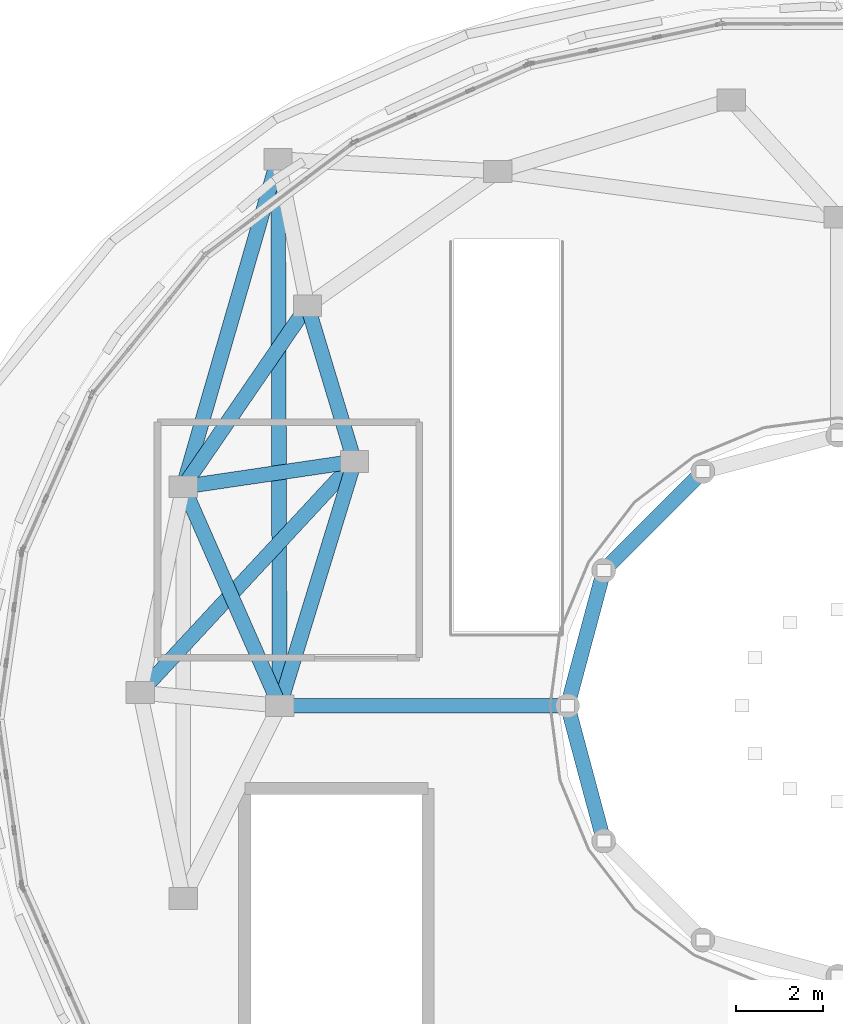
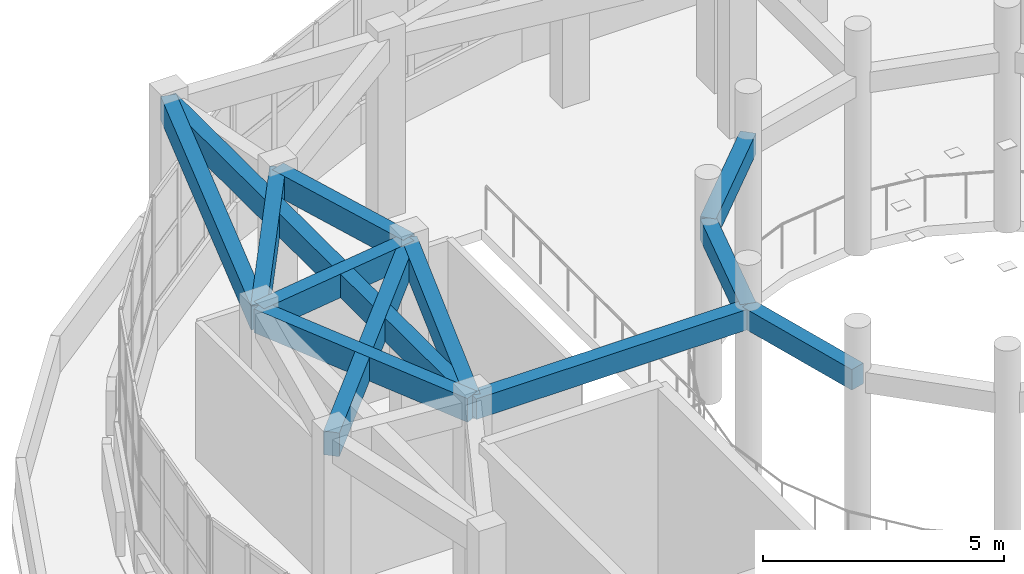
# One storey, part 12 of 98: 12 beams.
"""IFC4 building model written with IfcOpenShell, lengths in metres."""

from ifc_helpers import new_model, si_unit, direction, frame, origin, origin_2d, place, context, subcontext, project, spatial, rectangle, extrude, material, material_profile, profile_set, type_object, element, save


model = new_model("IFC4")

# Units and contexts
model_context = context("Model", 3, precision=1e-05, world=origin(), true_north=direction((0.0, 1.0)))
body_context = subcontext(model_context, "Body", "Model", "MODEL_VIEW")
ifc_project = project(units=[si_unit("LENGTHUNIT", "METRE"), si_unit("AREAUNIT", "SQUARE_METRE"), si_unit("VOLUMEUNIT", "CUBIC_METRE"), si_unit("PLANEANGLEUNIT", "RADIAN"), si_unit("MASSUNIT", "GRAM", prefix="KILO")], contexts=[model_context])

# Site, building, storey
site_placement = place(None, origin())
site = spatial("IfcSite", under=ifc_project, at=site_placement, CompositionType="ELEMENT")
building_placement = place(site_placement, origin())
building = spatial("IfcBuilding", under=site, at=building_placement, Name="Pelvatis Terrace Science Centre", CompositionType="ELEMENT")
storey_placement = place(building_placement, frame((0.0, 0.0, 5.39990234375)))
storey = spatial("IfcBuildingStorey", under=building, at=storey_placement, Name="L01", CompositionType="ELEMENT", Elevation=5.39990234375)

# Beams
ifc_material_1 = material(Name="Concrete C35/45", Category="concrete")
ifc_material_profile_1 = material_profile(ifc_material_1, rectangle(XDim=0.340087890625, YDim=0.52001953125, at=origin_2d()), Name="RC-BM 340x520")
ifc_profile_set_1 = profile_set([ifc_material_profile_1], Name="Concrete C35/45")
beam_type_1 = type_object("IfcBeamType", Name="BM-RC-340x520", PredefinedType="BEAM", material=ifc_profile_set_1)
beam_1_placement = place(storey_placement, frame((43.699951171875, 40.469482421875, 4.280029296875), z_axis=(-0.707068745266, -0.707144815061, 0.0), x_axis=(0.707144815061, -0.707068745266, 0.0)))
element("IfcBeam", 1, at=beam_1_placement, inside=storey, type_object=beam_type_1, Name="Beam BM-L01-2592", PredefinedType="BEAM", context=body_context, shape_type="SweptSolid", body=[
    extrude(rectangle(XDim=0.340087890625, YDim=0.52001953125, at=origin_2d()), origin(), (0.0, 0.0, 1.0), 3.20947265625),
])
beam_2_placement = place(storey_placement, frame((41.4306640625, 38.199951171875, 4.280029296875), z_axis=(-0.258808334578, -0.965928696102, 0.0), x_axis=(0.965928696102, -0.258808334578, 0.0)))
element("IfcBeam", 2, at=beam_2_placement, inside=storey, type_object=beam_type_1, Name="Beam BM-L01-2593", PredefinedType="BEAM", context=body_context, shape_type="SweptSolid", body=[
    extrude(rectangle(XDim=0.340087890625, YDim=0.52001953125, at=origin_2d()), origin(), (0.0, 0.0, 1.0), 3.209228515625),
])
beam_3_placement = place(storey_placement, frame((40.60009765625, 35.10009765625, 4.280029296875), z_axis=(0.258789317819, -0.9659337912, 0.0), x_axis=(0.9659337912, 0.258789317819, 0.0)))
element("IfcBeam", 3, at=beam_3_placement, inside=storey, type_object=beam_type_1, Name="Beam BM-L01-2594", PredefinedType="BEAM", context=body_context, shape_type="SweptSolid", body=[
    extrude(rectangle(XDim=0.340087890625, YDim=0.52001953125, at=origin_2d()), origin(), (0.0, 0.0, 1.0), 3.20947265625),
])
beam_4_placement = place(storey_placement, frame((40.60009765625, 35.10009765625, 4.280029296875), z_axis=(-1.0, 0.0, 0.0), x_axis=(0.0, -1.0, 0.0)))
element("IfcBeam", 4, at=beam_4_placement, inside=storey, type_object=beam_type_1, Name="Beam BM-L01-2595", PredefinedType="BEAM", context=body_context, shape_type="SweptSolid", body=[
    extrude(rectangle(XDim=0.340087890625, YDim=0.52001953125, at=origin_2d()), origin(), (0.0, 0.0, 1.0), 6.60009765625),
])
ifc_material_2 = material(Name="Concrete C35/45", Category="concrete")
ifc_material_profile_2 = material_profile(ifc_material_2, rectangle(XDim=0.340087890625, YDim=0.60009765625, at=origin_2d()), Name="RC-SPN 340x600")
ifc_profile_set_2 = profile_set([ifc_material_profile_2], Name="Concrete C35/45")
beam_type_2 = type_object("IfcBeamType", Name="SPN-RC-340x600", PredefinedType="SPANDREL", material=ifc_profile_set_2)
beam_5_placement = place(storey_placement, frame((34.636962890625, 44.2705078125, 4.239990234375), z_axis=(-0.565764912988, -0.824566591145, 0.0), x_axis=(0.824566591145, -0.565764912988, 0.0)))
element("IfcBeam", 5, at=beam_5_placement, inside=storey, type_object=beam_type_2, Name="Spandrel SP-L01-2684", PredefinedType="SPANDREL", context=body_context, shape_type="SweptSolid", body=[
    extrude(rectangle(XDim=0.340087890625, YDim=0.60009765625, at=origin_2d()), origin(), (0.0, 0.0, 1.0), 5.03369140625),
])
beam_6_placement = place(storey_placement, frame((34.636962890625, 44.2705078125, 4.239990234375), z_axis=(0.288998932393, -0.95732941931, 0.0), x_axis=(0.95732941931, 0.288998932393, 0.0)))
element("IfcBeam", 6, at=beam_6_placement, inside=storey, type_object=beam_type_2, Name="Spandrel SP-L01-2686", PredefinedType="SPANDREL", context=body_context, shape_type="SweptSolid", body=[
    extrude(rectangle(XDim=0.340087890625, YDim=0.60009765625, at=origin_2d()), origin(), (0.0, 0.0, 1.0), 3.729736328125),
])
beam_7_placement = place(storey_placement, frame((31.7890625, 40.119873046875, 4.239990234375), z_axis=(0.277936750746, 0.960599376736, 0.0), x_axis=(-0.960599376736, 0.277936750746, 0.0)))
element("IfcBeam", 7, at=beam_7_placement, inside=storey, type_object=beam_type_2, Name="Spandrel SP-L01-2689", PredefinedType="SPANDREL", context=body_context, shape_type="SweptSolid", body=[
    extrude(rectangle(XDim=0.340087890625, YDim=0.60009765625, at=origin_2d()), origin(), (0.0, 0.0, 1.0), 7.81787109375),
])
beam_8_placement = place(storey_placement, frame((31.7890625, 40.119873046875, 4.239990234375), z_axis=(0.98925888427, 0.146174073944, 0.0), x_axis=(-0.146174073944, 0.98925888427, 0.0)))
element("IfcBeam", 8, at=beam_8_placement, inside=storey, type_object=beam_type_2, Name="Spandrel SP-L01-2690", PredefinedType="SPANDREL", context=body_context, shape_type="SweptSolid", body=[
    extrude(rectangle(XDim=0.340087890625, YDim=0.60009765625, at=origin_2d()), origin(), (0.0, 0.0, 1.0), 3.968505859375),
])
beam_9_placement = place(storey_placement, frame((31.7890625, 40.119873046875, 4.239990234375), z_axis=(0.403080165628, -0.915164673749, 0.0), x_axis=(0.915164673749, 0.403080165628, 0.0)))
element("IfcBeam", 9, at=beam_9_placement, inside=storey, type_object=beam_type_2, Name="Spandrel SP-L01-2691", PredefinedType="SPANDREL", context=body_context, shape_type="SweptSolid", body=[
    extrude(rectangle(XDim=0.340087890625, YDim=0.60009765625, at=origin_2d()), origin(), (0.0, 0.0, 1.0), 5.485107421875),
])
beam_10_placement = place(storey_placement, frame((30.800048828125, 35.39990234375, 4.239990234375), z_axis=(0.679954752687, 0.733254072132, 0.0), x_axis=(-0.733254072132, 0.679954752687, 0.0)))
element("IfcBeam", 10, at=beam_10_placement, inside=storey, type_object=beam_type_2, Name="Spandrel SP-L01-2693", PredefinedType="SPANDREL", context=body_context, shape_type="SweptSolid", body=[
    extrude(rectangle(XDim=0.340087890625, YDim=0.60009765625, at=origin_2d()), origin(), (0.0, 0.0, 1.0), 7.22802734375),
])
beam_11_placement = place(storey_placement, frame((33.9619140625, 47.629638671875, 4.239990234375), z_axis=(0.003039677312, -0.99999538017, 0.0), x_axis=(0.99999538017, 0.003039677312, 0.0)))
element("IfcBeam", 11, at=beam_11_placement, inside=storey, type_object=beam_type_2, Name="Spandrel SP-L01-2710", PredefinedType="SPANDREL", context=body_context, shape_type="SweptSolid", body=[
    extrude(rectangle(XDim=0.340087890625, YDim=0.60009765625, at=origin_2d()), origin(), (0.0, 0.0, 1.0), 12.529541015625),
])
beam_12_placement = place(storey_placement, frame((35.71484375, 40.699951171875, 4.239990234375), z_axis=(-0.292808391505, -0.956171138376, 0.0), x_axis=(0.956171138376, -0.292808391505, 0.0)))
element("IfcBeam", 12, at=beam_12_placement, inside=storey, type_object=beam_type_2, Name="Spandrel SP-L01-2716", PredefinedType="SPANDREL", context=body_context, shape_type="SweptSolid", body=[
    extrude(rectangle(XDim=0.340087890625, YDim=0.60009765625, at=origin_2d()), origin(), (0.0, 0.0, 1.0), 5.8564453125),
])

save(model, "model.ifc")
